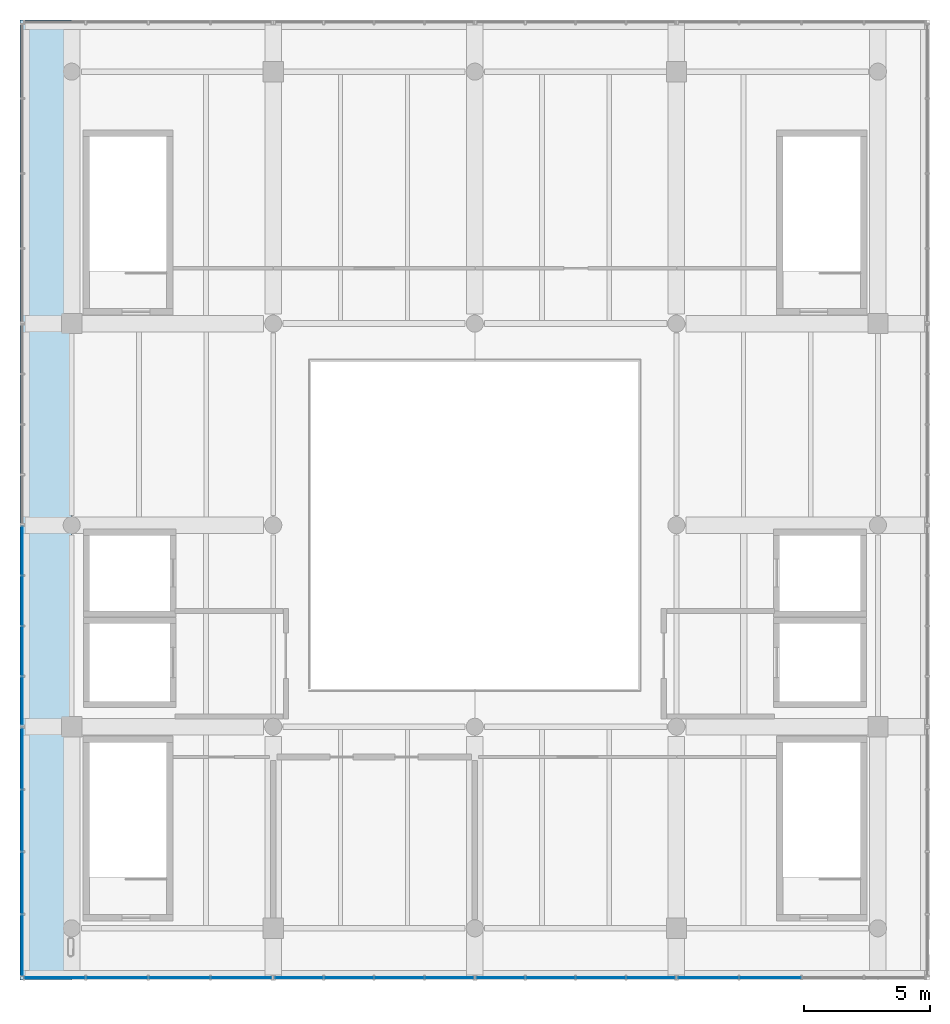
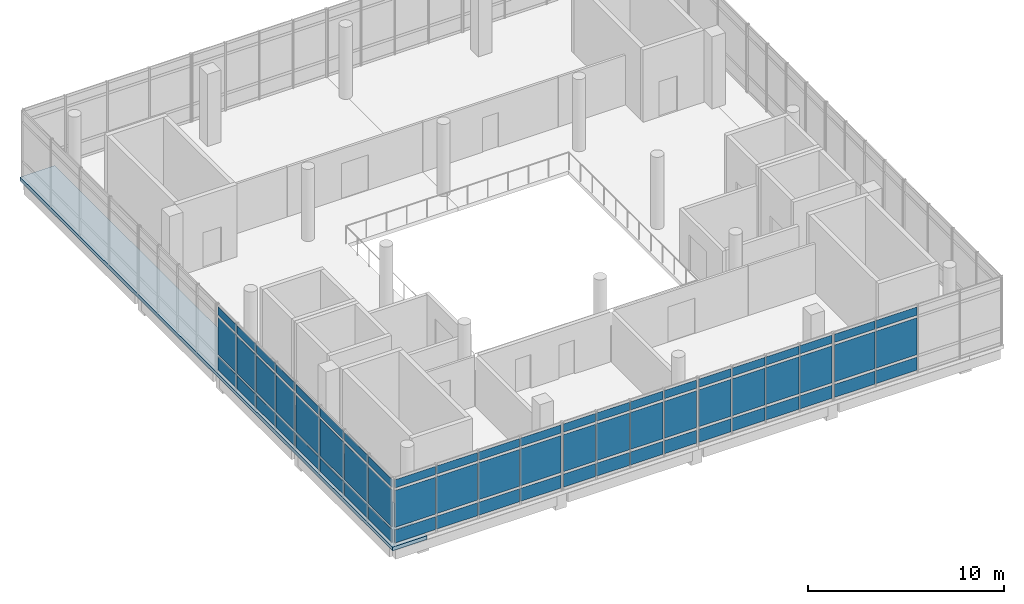
# One storey, part 10 of 15: 66 plates, 1 slab, 6 elements without a shape of their own.
"""IFC4 building model written with IfcOpenShell, lengths in metres."""

from ifc_helpers import new_model, si_unit, direction, frame, origin, origin_2d, place, context, subcontext, project, spatial, polyline, rectangle, outline, extrude, material, layer, layer_set, type_object, element, aggregate, save


model = new_model("IFC4")

# Units and contexts
model_context = context("Model", 3, precision=1e-05, world=origin(), true_north=direction((0.0, 1.0)))
body_context = subcontext(model_context, "Body", "Model", "MODEL_VIEW")
ifc_project = project(units=[si_unit("LENGTHUNIT", "METRE"), si_unit("AREAUNIT", "SQUARE_METRE"), si_unit("VOLUMEUNIT", "CUBIC_METRE"), si_unit("PLANEANGLEUNIT", "RADIAN"), si_unit("MASSUNIT", "GRAM", prefix="KILO")], contexts=[model_context])

# Site, building, storey
site_placement = place(None, origin())
site = spatial("IfcSite", under=ifc_project, at=site_placement, CompositionType="ELEMENT")
building_placement = place(site_placement, origin())
building = spatial("IfcBuilding", under=site, at=building_placement, Name="Pecanmere Concourse Central Library", CompositionType="ELEMENT")
storey_placement = place(building_placement, frame((0.0, 0.0, 30.300048828125)))
storey = spatial("IfcBuildingStorey", under=building, at=storey_placement, Name="L07", CompositionType="ELEMENT", Elevation=30.300048828125)

# Curtain wall, plates
ifc_material_1 = material(Name="Anodized bronze aluminium alloy 6063-T6", Category="aluminium")
curtain_wall_type = type_object("IfcCurtainWallType", Name="CW_PLUMB_BANDED", PredefinedType="USERDEFINED", material=ifc_material_1)
curtain_wall_1_placement = place(storey_placement, origin())
curtain_wall_1 = element("IfcCurtainWall", 1, at=curtain_wall_1_placement, inside=storey, type_object=curtain_wall_type, Name="Unitised Curtain Wall CW-02 L07-089", ObjectType="UNITISED CURTAIN WALL", PredefinedType="USERDEFINED")
ifc_material_2 = material(Name="White ceramic-fritted insulated spandrel glazing", Category="glass")
ifc_layer_1 = layer(ifc_material_2, 0.053955078125, Name="CWP_SPN_54")
ifc_layer_set_1 = layer_set([ifc_layer_1], Name="White ceramic-fritted insulated spandrel glazing")
plate_type_1 = type_object("IfcPlateType", Name="CWP_SPN_54", PredefinedType="CURTAIN_PANEL", material=ifc_layer_set_1)
plate_1_placement = place(storey_placement, frame((71.334228515625, 88.03857421875, 0.159912109375), z_axis=(0.0, 0.0, 1.0), x_axis=(1.0, 0.0, 0.0)))
plate_1 = element("IfcPlate", 2, at=plate_1_placement, type_object=plate_type_1, Name="CW-02 Spandrel Panel 1.1", PredefinedType="CURTAIN_PANEL", context=body_context, shape_type="SweptSolid", body=[
    extrude(rectangle(XDim=2.381591796875, YDim=0.035888671875, at=origin_2d()), origin(), (0.0, 0.0, 1.0), 0.81005859375),
])
plate_2_placement = place(storey_placement, frame((73.797119140625, 88.03857421875, 0.159912109375), z_axis=(0.0, 0.0, 1.0), x_axis=(1.0, 0.0, 0.0)))
plate_2 = element("IfcPlate", 3, at=plate_2_placement, type_object=plate_type_1, Name="CW-02 Spandrel Panel 2.1", PredefinedType="CURTAIN_PANEL", context=body_context, shape_type="SweptSolid", body=[
    extrude(rectangle(XDim=2.4140625, YDim=0.035888671875, at=origin_2d()), origin(), (0.0, 0.0, 1.0), 0.81005859375),
])
plate_3_placement = place(storey_placement, frame((76.2763671875, 88.03857421875, 0.159912109375), z_axis=(0.0, 0.0, 1.0), x_axis=(1.0, 0.0, 0.0)))
plate_3 = element("IfcPlate", 4, at=plate_3_placement, type_object=plate_type_1, Name="CW-02 Spandrel Panel 3.1", PredefinedType="CURTAIN_PANEL", context=body_context, shape_type="SweptSolid", body=[
    extrude(rectangle(XDim=2.4140625, YDim=0.035888671875, at=origin_2d()), origin(), (0.0, 0.0, 1.0), 0.81005859375),
])
plate_4_placement = place(storey_placement, frame((78.7392578125, 88.03857421875, 0.159912109375), z_axis=(0.0, 0.0, 1.0), x_axis=(1.0, 0.0, 0.0)))
plate_4 = element("IfcPlate", 5, at=plate_4_placement, type_object=plate_type_1, Name="CW-02 Spandrel Panel 4.1", PredefinedType="CURTAIN_PANEL", context=body_context, shape_type="SweptSolid", body=[
    extrude(rectangle(XDim=2.381591796875, YDim=0.035888671875, at=origin_2d()), origin(), (0.0, 0.0, 1.0), 0.81005859375),
])

curtain_wall_2_placement = place(storey_placement, origin())
curtain_wall_2 = element("IfcCurtainWall", 6, at=curtain_wall_2_placement, inside=storey, type_object=curtain_wall_type, Name="Unitised Curtain Wall CW-02 L07-090", ObjectType="UNITISED CURTAIN WALL", PredefinedType="USERDEFINED")
plate_5_placement = place(storey_placement, frame((81.02001953125, 88.03857421875, 0.159912109375), z_axis=(0.0, 0.0, 1.0), x_axis=(1.0, 0.0, 0.0)))
plate_5 = element("IfcPlate", 7, at=plate_5_placement, type_object=plate_type_1, Name="CW-02 Spandrel Panel 1.1", PredefinedType="CURTAIN_PANEL", context=body_context, shape_type="SweptSolid", body=[
    extrude(rectangle(XDim=1.89990234375, YDim=0.035888671875, at=origin_2d()), origin(), (0.0, 0.0, 1.0), 0.81005859375),
])
plate_6_placement = place(storey_placement, frame((83.001220703125, 88.03857421875, 0.159912109375), z_axis=(0.0, 0.0, 1.0), x_axis=(1.0, 0.0, 0.0)))
plate_6 = element("IfcPlate", 8, at=plate_6_placement, type_object=plate_type_1, Name="CW-02 Spandrel Panel 2.1", PredefinedType="CURTAIN_PANEL", context=body_context, shape_type="SweptSolid", body=[
    extrude(rectangle(XDim=1.9326171875, YDim=0.035888671875, at=origin_2d()), origin(), (0.0, 0.0, 1.0), 0.81005859375),
])
plate_7_placement = place(storey_placement, frame((84.998779296875, 88.03857421875, 0.159912109375), z_axis=(0.0, 0.0, 1.0), x_axis=(1.0, 0.0, 0.0)))
plate_7 = element("IfcPlate", 9, at=plate_7_placement, type_object=plate_type_1, Name="CW-02 Spandrel Panel 3.1", PredefinedType="CURTAIN_PANEL", context=body_context, shape_type="SweptSolid", body=[
    extrude(rectangle(XDim=1.9326171875, YDim=0.035888671875, at=origin_2d()), origin(), (0.0, 0.0, 1.0), 0.81005859375),
])
plate_8_placement = place(storey_placement, frame((86.97998046875, 88.03857421875, 0.159912109375), z_axis=(0.0, 0.0, 1.0), x_axis=(1.0, 0.0, 0.0)))
plate_8 = element("IfcPlate", 10, at=plate_8_placement, type_object=plate_type_1, Name="CW-02 Spandrel Panel 4.1", PredefinedType="CURTAIN_PANEL", context=body_context, shape_type="SweptSolid", body=[
    extrude(rectangle(XDim=1.89990234375, YDim=0.035888671875, at=origin_2d()), origin(), (0.0, 0.0, 1.0), 0.81005859375),
])

curtain_wall_3_placement = place(storey_placement, origin())
curtain_wall_3 = element("IfcCurtainWall", 11, at=curtain_wall_3_placement, inside=storey, type_object=curtain_wall_type, Name="Unitised Curtain Wall CW-02 L07-091", ObjectType="UNITISED CURTAIN WALL", PredefinedType="USERDEFINED")
plate_9_placement = place(storey_placement, frame((89.02001953125, 88.03857421875, 0.159912109375), z_axis=(0.0, 0.0, 1.0), x_axis=(1.0, 0.0, 0.0)))
plate_9 = element("IfcPlate", 12, at=plate_9_placement, type_object=plate_type_1, Name="CW-02 Spandrel Panel 1.1", PredefinedType="CURTAIN_PANEL", context=body_context, shape_type="SweptSolid", body=[
    extrude(rectangle(XDim=1.89990234375, YDim=0.035888671875, at=origin_2d()), origin(), (0.0, 0.0, 1.0), 0.81005859375),
])
plate_10_placement = place(storey_placement, frame((91.001220703125, 88.03857421875, 0.159912109375), z_axis=(0.0, 0.0, 1.0), x_axis=(1.0, 0.0, 0.0)))
plate_10 = element("IfcPlate", 13, at=plate_10_placement, type_object=plate_type_1, Name="CW-02 Spandrel Panel 2.1", PredefinedType="CURTAIN_PANEL", context=body_context, shape_type="SweptSolid", body=[
    extrude(rectangle(XDim=1.9326171875, YDim=0.035888671875, at=origin_2d()), origin(), (0.0, 0.0, 1.0), 0.81005859375),
])
plate_11_placement = place(storey_placement, frame((92.998779296875, 88.03857421875, 0.159912109375), z_axis=(0.0, 0.0, 1.0), x_axis=(1.0, 0.0, 0.0)))
plate_11 = element("IfcPlate", 14, at=plate_11_placement, type_object=plate_type_1, Name="CW-02 Spandrel Panel 3.1", PredefinedType="CURTAIN_PANEL", context=body_context, shape_type="SweptSolid", body=[
    extrude(rectangle(XDim=1.9326171875, YDim=0.035888671875, at=origin_2d()), origin(), (0.0, 0.0, 1.0), 0.81005859375),
])
plate_12_placement = place(storey_placement, frame((94.97998046875, 88.03857421875, 0.159912109375), z_axis=(0.0, 0.0, 1.0), x_axis=(1.0, 0.0, 0.0)))
plate_12 = element("IfcPlate", 15, at=plate_12_placement, type_object=plate_type_1, Name="CW-02 Spandrel Panel 4.1", PredefinedType="CURTAIN_PANEL", context=body_context, shape_type="SweptSolid", body=[
    extrude(rectangle(XDim=1.89990234375, YDim=0.035888671875, at=origin_2d()), origin(), (0.0, 0.0, 1.0), 0.81005859375),
])

curtain_wall_4_placement = place(storey_placement, origin())
curtain_wall_4 = element("IfcCurtainWall", 16, at=curtain_wall_4_placement, inside=storey, type_object=curtain_wall_type, Name="Unitised Curtain Wall CW-02 L07-092", ObjectType="UNITISED CURTAIN WALL", PredefinedType="USERDEFINED")
plate_13_placement = place(storey_placement, frame((97.2607421875, 88.03857421875, 0.159912109375), z_axis=(0.0, 0.0, 1.0), x_axis=(1.0, 0.0, 0.0)))
plate_13 = element("IfcPlate", 17, at=plate_13_placement, type_object=plate_type_1, Name="CW-02 Spandrel Panel 1.1", PredefinedType="CURTAIN_PANEL", context=body_context, shape_type="SweptSolid", body=[
    extrude(rectangle(XDim=2.381591796875, YDim=0.035888671875, at=origin_2d()), origin(), (0.0, 0.0, 1.0), 0.81005859375),
])
plate_14_placement = place(storey_placement, frame((99.7236328125, 88.03857421875, 0.159912109375), z_axis=(0.0, 0.0, 1.0), x_axis=(1.0, 0.0, 0.0)))
plate_14 = element("IfcPlate", 18, at=plate_14_placement, type_object=plate_type_1, Name="CW-02 Spandrel Panel 2.1", PredefinedType="CURTAIN_PANEL", context=body_context, shape_type="SweptSolid", body=[
    extrude(rectangle(XDim=2.4140625, YDim=0.035888671875, at=origin_2d()), origin(), (0.0, 0.0, 1.0), 0.81005859375),
])

curtain_wall_5_placement = place(storey_placement, origin())
curtain_wall_5 = element("IfcCurtainWall", 19, at=curtain_wall_5_placement, inside=storey, type_object=curtain_wall_type, Name="Unitised Curtain Wall CW-02 L07-099", ObjectType="UNITISED CURTAIN WALL", PredefinedType="USERDEFINED")
plate_15_placement = place(storey_placement, frame((70.03857421875, 104.97998046875, 0.159912109375), z_axis=(0.0, 0.0, 1.0), x_axis=(0.0, -1.0, 0.0)))
plate_15 = element("IfcPlate", 20, at=plate_15_placement, type_object=plate_type_1, Name="CW-02 Spandrel Panel 1.1", PredefinedType="CURTAIN_PANEL", context=body_context, shape_type="SweptSolid", body=[
    extrude(rectangle(XDim=1.89990234375, YDim=0.035888671875, at=origin_2d()), origin(), (0.0, 0.0, 1.0), 0.81005859375),
])
plate_16_placement = place(storey_placement, frame((70.03857421875, 102.998779296875, 0.159912109375), z_axis=(0.0, 0.0, 1.0), x_axis=(0.0, -1.0, 0.0)))
plate_16 = element("IfcPlate", 21, at=plate_16_placement, type_object=plate_type_1, Name="CW-02 Spandrel Panel 2.1", PredefinedType="CURTAIN_PANEL", context=body_context, shape_type="SweptSolid", body=[
    extrude(rectangle(XDim=1.9326171875, YDim=0.035888671875, at=origin_2d()), origin(), (0.0, 0.0, 1.0), 0.81005859375),
])
plate_17_placement = place(storey_placement, frame((70.03857421875, 101.001220703125, 0.159912109375), z_axis=(0.0, 0.0, 1.0), x_axis=(0.0, -1.0, 0.0)))
plate_17 = element("IfcPlate", 22, at=plate_17_placement, type_object=plate_type_1, Name="CW-02 Spandrel Panel 3.1", PredefinedType="CURTAIN_PANEL", context=body_context, shape_type="SweptSolid", body=[
    extrude(rectangle(XDim=1.9326171875, YDim=0.035888671875, at=origin_2d()), origin(), (0.0, 0.0, 1.0), 0.81005859375),
])
plate_18_placement = place(storey_placement, frame((70.03857421875, 99.02001953125, 0.159912109375), z_axis=(0.0, 0.0, 1.0), x_axis=(0.0, -1.0, 0.0)))
plate_18 = element("IfcPlate", 23, at=plate_18_placement, type_object=plate_type_1, Name="CW-02 Spandrel Panel 4.1", PredefinedType="CURTAIN_PANEL", context=body_context, shape_type="SweptSolid", body=[
    extrude(rectangle(XDim=1.89990234375, YDim=0.035888671875, at=origin_2d()), origin(), (0.0, 0.0, 1.0), 0.81005859375),
])

curtain_wall_6_placement = place(storey_placement, origin())
curtain_wall_6 = element("IfcCurtainWall", 24, at=curtain_wall_6_placement, inside=storey, type_object=curtain_wall_type, Name="Unitised Curtain Wall CW-02 L07-100", ObjectType="UNITISED CURTAIN WALL", PredefinedType="USERDEFINED")
plate_19_placement = place(storey_placement, frame((70.03857421875, 96.7392578125, 0.159912109375), z_axis=(0.0, 0.0, 1.0), x_axis=(0.0, -1.0, 0.0)))
plate_19 = element("IfcPlate", 25, at=plate_19_placement, type_object=plate_type_1, Name="CW-02 Spandrel Panel 1.1", PredefinedType="CURTAIN_PANEL", context=body_context, shape_type="SweptSolid", body=[
    extrude(rectangle(XDim=2.381591796875, YDim=0.035888671875, at=origin_2d()), origin(), (0.0, 0.0, 1.0), 0.81005859375),
])
plate_20_placement = place(storey_placement, frame((70.03857421875, 94.2763671875, 0.159912109375), z_axis=(0.0, 0.0, 1.0), x_axis=(0.0, -1.0, 0.0)))
plate_20 = element("IfcPlate", 26, at=plate_20_placement, type_object=plate_type_1, Name="CW-02 Spandrel Panel 2.1", PredefinedType="CURTAIN_PANEL", context=body_context, shape_type="SweptSolid", body=[
    extrude(rectangle(XDim=2.4140625, YDim=0.035888671875, at=origin_2d()), origin(), (0.0, 0.0, 1.0), 0.81005859375),
])
plate_21_placement = place(storey_placement, frame((70.03857421875, 91.797119140625, 0.159912109375), z_axis=(0.0, 0.0, 1.0), x_axis=(0.0, -1.0, 0.0)))
plate_21 = element("IfcPlate", 27, at=plate_21_placement, type_object=plate_type_1, Name="CW-02 Spandrel Panel 3.1", PredefinedType="CURTAIN_PANEL", context=body_context, shape_type="SweptSolid", body=[
    extrude(rectangle(XDim=2.4140625, YDim=0.035888671875, at=origin_2d()), origin(), (0.0, 0.0, 1.0), 0.81005859375),
])
plate_22_placement = place(storey_placement, frame((70.03857421875, 89.334228515625, 0.159912109375), z_axis=(0.0, 0.0, 1.0), x_axis=(0.0, -1.0, 0.0)))
plate_22 = element("IfcPlate", 28, at=plate_22_placement, type_object=plate_type_1, Name="CW-02 Spandrel Panel 4.1", PredefinedType="CURTAIN_PANEL", context=body_context, shape_type="SweptSolid", body=[
    extrude(rectangle(XDim=2.381591796875, YDim=0.035888671875, at=origin_2d()), origin(), (0.0, 0.0, 1.0), 0.81005859375),
])

# Plate
ifc_material_3 = material(Name="Low-iron clear insulated glazing", Category="glass")
ifc_layer_2 = layer(ifc_material_3, 0.035888671875, Name="CWP_VIS_36")
ifc_layer_set_2 = layer_set([ifc_layer_2], Name="Low-iron clear insulated glazing")
plate_type_2 = type_object("IfcPlateType", Name="CWP_VIS_36", PredefinedType="CURTAIN_PANEL", material=ifc_layer_set_2)
plate_23_placement = place(storey_placement, frame((71.334228515625, 88.03857421875, 1.1298828125), z_axis=(0.0, 0.0, 1.0), x_axis=(1.0, 0.0, 0.0)))
plate_23 = element("IfcPlate", 29, at=plate_23_placement, type_object=plate_type_2, Name="CW-02 Vision Panel 1.2", PredefinedType="CURTAIN_PANEL", context=body_context, shape_type="SweptSolid", body=[
    extrude(rectangle(XDim=2.381591796875, YDim=0.035888671875, at=origin_2d()), origin(), (0.0, 0.0, 1.0), 2.300048828125),
])

plate_24_placement = place(storey_placement, frame((71.334228515625, 88.03857421875, 3.58984375), z_axis=(0.0, 0.0, 1.0), x_axis=(1.0, 0.0, 0.0)))
plate_24 = element("IfcPlate", 30, at=plate_24_placement, type_object=plate_type_2, Name="CW-02 Vision Panel 1.3", PredefinedType="CURTAIN_PANEL", context=body_context, shape_type="SweptSolid", body=[
    extrude(rectangle(XDim=2.381591796875, YDim=0.035888671875, at=origin_2d()), origin(), (0.0, 0.0, 1.0), 0.510009765625),
])

plate_25_placement = place(storey_placement, frame((73.797119140625, 88.03857421875, 1.1298828125), z_axis=(0.0, 0.0, 1.0), x_axis=(1.0, 0.0, 0.0)))
plate_25 = element("IfcPlate", 31, at=plate_25_placement, type_object=plate_type_2, Name="CW-02 Vision Panel 2.2", PredefinedType="CURTAIN_PANEL", context=body_context, shape_type="SweptSolid", body=[
    extrude(rectangle(XDim=2.4140625, YDim=0.035888671875, at=origin_2d()), origin(), (0.0, 0.0, 1.0), 2.300048828125),
])

plate_26_placement = place(storey_placement, frame((73.797119140625, 88.03857421875, 3.58984375), z_axis=(0.0, 0.0, 1.0), x_axis=(1.0, 0.0, 0.0)))
plate_26 = element("IfcPlate", 32, at=plate_26_placement, type_object=plate_type_2, Name="CW-02 Vision Panel 2.3", PredefinedType="CURTAIN_PANEL", context=body_context, shape_type="SweptSolid", body=[
    extrude(rectangle(XDim=2.4140625, YDim=0.035888671875, at=origin_2d()), origin(), (0.0, 0.0, 1.0), 0.510009765625),
])

plate_27_placement = place(storey_placement, frame((76.2763671875, 88.03857421875, 1.1298828125), z_axis=(0.0, 0.0, 1.0), x_axis=(1.0, 0.0, 0.0)))
plate_27 = element("IfcPlate", 33, at=plate_27_placement, type_object=plate_type_2, Name="CW-02 Vision Panel 3.2", PredefinedType="CURTAIN_PANEL", context=body_context, shape_type="SweptSolid", body=[
    extrude(rectangle(XDim=2.4140625, YDim=0.035888671875, at=origin_2d()), origin(), (0.0, 0.0, 1.0), 2.300048828125),
])

plate_28_placement = place(storey_placement, frame((76.2763671875, 88.03857421875, 3.58984375), z_axis=(0.0, 0.0, 1.0), x_axis=(1.0, 0.0, 0.0)))
plate_28 = element("IfcPlate", 34, at=plate_28_placement, type_object=plate_type_2, Name="CW-02 Vision Panel 3.3", PredefinedType="CURTAIN_PANEL", context=body_context, shape_type="SweptSolid", body=[
    extrude(rectangle(XDim=2.4140625, YDim=0.035888671875, at=origin_2d()), origin(), (0.0, 0.0, 1.0), 0.510009765625),
])

plate_29_placement = place(storey_placement, frame((78.7392578125, 88.03857421875, 1.1298828125), z_axis=(0.0, 0.0, 1.0), x_axis=(1.0, 0.0, 0.0)))
plate_29 = element("IfcPlate", 35, at=plate_29_placement, type_object=plate_type_2, Name="CW-02 Vision Panel 4.2", PredefinedType="CURTAIN_PANEL", context=body_context, shape_type="SweptSolid", body=[
    extrude(rectangle(XDim=2.381591796875, YDim=0.035888671875, at=origin_2d()), origin(), (0.0, 0.0, 1.0), 2.300048828125),
])

plate_30_placement = place(storey_placement, frame((78.7392578125, 88.03857421875, 3.58984375), z_axis=(0.0, 0.0, 1.0), x_axis=(1.0, 0.0, 0.0)))
plate_30 = element("IfcPlate", 36, at=plate_30_placement, type_object=plate_type_2, Name="CW-02 Vision Panel 4.3", PredefinedType="CURTAIN_PANEL", context=body_context, shape_type="SweptSolid", body=[
    extrude(rectangle(XDim=2.381591796875, YDim=0.035888671875, at=origin_2d()), origin(), (0.0, 0.0, 1.0), 0.510009765625),
])

aggregate(curtain_wall_1, [plate_1, plate_23, plate_24, plate_2, plate_25, plate_26, plate_3, plate_27, plate_28, plate_4, plate_29, plate_30])

plate_31_placement = place(storey_placement, frame((81.02001953125, 88.03857421875, 1.1298828125), z_axis=(0.0, 0.0, 1.0), x_axis=(1.0, 0.0, 0.0)))
plate_31 = element("IfcPlate", 37, at=plate_31_placement, type_object=plate_type_2, Name="CW-02 Vision Panel 1.2", PredefinedType="CURTAIN_PANEL", context=body_context, shape_type="SweptSolid", body=[
    extrude(rectangle(XDim=1.89990234375, YDim=0.035888671875, at=origin_2d()), origin(), (0.0, 0.0, 1.0), 2.300048828125),
])

plate_32_placement = place(storey_placement, frame((81.02001953125, 88.03857421875, 3.58984375), z_axis=(0.0, 0.0, 1.0), x_axis=(1.0, 0.0, 0.0)))
plate_32 = element("IfcPlate", 38, at=plate_32_placement, type_object=plate_type_2, Name="CW-02 Vision Panel 1.3", PredefinedType="CURTAIN_PANEL", context=body_context, shape_type="SweptSolid", body=[
    extrude(rectangle(XDim=1.89990234375, YDim=0.035888671875, at=origin_2d()), origin(), (0.0, 0.0, 1.0), 0.510009765625),
])

plate_33_placement = place(storey_placement, frame((83.001220703125, 88.03857421875, 1.1298828125), z_axis=(0.0, 0.0, 1.0), x_axis=(1.0, 0.0, 0.0)))
plate_33 = element("IfcPlate", 39, at=plate_33_placement, type_object=plate_type_2, Name="CW-02 Vision Panel 2.2", PredefinedType="CURTAIN_PANEL", context=body_context, shape_type="SweptSolid", body=[
    extrude(rectangle(XDim=1.9326171875, YDim=0.035888671875, at=origin_2d()), origin(), (0.0, 0.0, 1.0), 2.300048828125),
])

plate_34_placement = place(storey_placement, frame((83.001220703125, 88.03857421875, 3.58984375), z_axis=(0.0, 0.0, 1.0), x_axis=(1.0, 0.0, 0.0)))
plate_34 = element("IfcPlate", 40, at=plate_34_placement, type_object=plate_type_2, Name="CW-02 Vision Panel 2.3", PredefinedType="CURTAIN_PANEL", context=body_context, shape_type="SweptSolid", body=[
    extrude(rectangle(XDim=1.9326171875, YDim=0.035888671875, at=origin_2d()), origin(), (0.0, 0.0, 1.0), 0.510009765625),
])

plate_35_placement = place(storey_placement, frame((84.998779296875, 88.03857421875, 1.1298828125), z_axis=(0.0, 0.0, 1.0), x_axis=(1.0, 0.0, 0.0)))
plate_35 = element("IfcPlate", 41, at=plate_35_placement, type_object=plate_type_2, Name="CW-02 Vision Panel 3.2", PredefinedType="CURTAIN_PANEL", context=body_context, shape_type="SweptSolid", body=[
    extrude(rectangle(XDim=1.9326171875, YDim=0.035888671875, at=origin_2d()), origin(), (0.0, 0.0, 1.0), 2.300048828125),
])

plate_36_placement = place(storey_placement, frame((84.998779296875, 88.03857421875, 3.58984375), z_axis=(0.0, 0.0, 1.0), x_axis=(1.0, 0.0, 0.0)))
plate_36 = element("IfcPlate", 42, at=plate_36_placement, type_object=plate_type_2, Name="CW-02 Vision Panel 3.3", PredefinedType="CURTAIN_PANEL", context=body_context, shape_type="SweptSolid", body=[
    extrude(rectangle(XDim=1.9326171875, YDim=0.035888671875, at=origin_2d()), origin(), (0.0, 0.0, 1.0), 0.510009765625),
])

plate_37_placement = place(storey_placement, frame((86.97998046875, 88.03857421875, 1.1298828125), z_axis=(0.0, 0.0, 1.0), x_axis=(1.0, 0.0, 0.0)))
plate_37 = element("IfcPlate", 43, at=plate_37_placement, type_object=plate_type_2, Name="CW-02 Vision Panel 4.2", PredefinedType="CURTAIN_PANEL", context=body_context, shape_type="SweptSolid", body=[
    extrude(rectangle(XDim=1.89990234375, YDim=0.035888671875, at=origin_2d()), origin(), (0.0, 0.0, 1.0), 2.300048828125),
])

plate_38_placement = place(storey_placement, frame((86.97998046875, 88.03857421875, 3.58984375), z_axis=(0.0, 0.0, 1.0), x_axis=(1.0, 0.0, 0.0)))
plate_38 = element("IfcPlate", 44, at=plate_38_placement, type_object=plate_type_2, Name="CW-02 Vision Panel 4.3", PredefinedType="CURTAIN_PANEL", context=body_context, shape_type="SweptSolid", body=[
    extrude(rectangle(XDim=1.89990234375, YDim=0.035888671875, at=origin_2d()), origin(), (0.0, 0.0, 1.0), 0.510009765625),
])

aggregate(curtain_wall_2, [plate_5, plate_31, plate_32, plate_6, plate_33, plate_34, plate_7, plate_35, plate_36, plate_8, plate_37, plate_38])

plate_39_placement = place(storey_placement, frame((89.02001953125, 88.03857421875, 1.1298828125), z_axis=(0.0, 0.0, 1.0), x_axis=(1.0, 0.0, 0.0)))
plate_39 = element("IfcPlate", 45, at=plate_39_placement, type_object=plate_type_2, Name="CW-02 Vision Panel 1.2", PredefinedType="CURTAIN_PANEL", context=body_context, shape_type="SweptSolid", body=[
    extrude(rectangle(XDim=1.89990234375, YDim=0.035888671875, at=origin_2d()), origin(), (0.0, 0.0, 1.0), 2.300048828125),
])

plate_40_placement = place(storey_placement, frame((89.02001953125, 88.03857421875, 3.58984375), z_axis=(0.0, 0.0, 1.0), x_axis=(1.0, 0.0, 0.0)))
plate_40 = element("IfcPlate", 46, at=plate_40_placement, type_object=plate_type_2, Name="CW-02 Vision Panel 1.3", PredefinedType="CURTAIN_PANEL", context=body_context, shape_type="SweptSolid", body=[
    extrude(rectangle(XDim=1.89990234375, YDim=0.035888671875, at=origin_2d()), origin(), (0.0, 0.0, 1.0), 0.510009765625),
])

plate_41_placement = place(storey_placement, frame((91.001220703125, 88.03857421875, 1.1298828125), z_axis=(0.0, 0.0, 1.0), x_axis=(1.0, 0.0, 0.0)))
plate_41 = element("IfcPlate", 47, at=plate_41_placement, type_object=plate_type_2, Name="CW-02 Vision Panel 2.2", PredefinedType="CURTAIN_PANEL", context=body_context, shape_type="SweptSolid", body=[
    extrude(rectangle(XDim=1.9326171875, YDim=0.035888671875, at=origin_2d()), origin(), (0.0, 0.0, 1.0), 2.300048828125),
])

plate_42_placement = place(storey_placement, frame((91.001220703125, 88.03857421875, 3.58984375), z_axis=(0.0, 0.0, 1.0), x_axis=(1.0, 0.0, 0.0)))
plate_42 = element("IfcPlate", 48, at=plate_42_placement, type_object=plate_type_2, Name="CW-02 Vision Panel 2.3", PredefinedType="CURTAIN_PANEL", context=body_context, shape_type="SweptSolid", body=[
    extrude(rectangle(XDim=1.9326171875, YDim=0.035888671875, at=origin_2d()), origin(), (0.0, 0.0, 1.0), 0.510009765625),
])

plate_43_placement = place(storey_placement, frame((92.998779296875, 88.03857421875, 1.1298828125), z_axis=(0.0, 0.0, 1.0), x_axis=(1.0, 0.0, 0.0)))
plate_43 = element("IfcPlate", 49, at=plate_43_placement, type_object=plate_type_2, Name="CW-02 Vision Panel 3.2", PredefinedType="CURTAIN_PANEL", context=body_context, shape_type="SweptSolid", body=[
    extrude(rectangle(XDim=1.9326171875, YDim=0.035888671875, at=origin_2d()), origin(), (0.0, 0.0, 1.0), 2.300048828125),
])

plate_44_placement = place(storey_placement, frame((92.998779296875, 88.03857421875, 3.58984375), z_axis=(0.0, 0.0, 1.0), x_axis=(1.0, 0.0, 0.0)))
plate_44 = element("IfcPlate", 50, at=plate_44_placement, type_object=plate_type_2, Name="CW-02 Vision Panel 3.3", PredefinedType="CURTAIN_PANEL", context=body_context, shape_type="SweptSolid", body=[
    extrude(rectangle(XDim=1.9326171875, YDim=0.035888671875, at=origin_2d()), origin(), (0.0, 0.0, 1.0), 0.510009765625),
])

plate_45_placement = place(storey_placement, frame((94.97998046875, 88.03857421875, 1.1298828125), z_axis=(0.0, 0.0, 1.0), x_axis=(1.0, 0.0, 0.0)))
plate_45 = element("IfcPlate", 51, at=plate_45_placement, type_object=plate_type_2, Name="CW-02 Vision Panel 4.2", PredefinedType="CURTAIN_PANEL", context=body_context, shape_type="SweptSolid", body=[
    extrude(rectangle(XDim=1.89990234375, YDim=0.035888671875, at=origin_2d()), origin(), (0.0, 0.0, 1.0), 2.300048828125),
])

plate_46_placement = place(storey_placement, frame((94.97998046875, 88.03857421875, 3.58984375), z_axis=(0.0, 0.0, 1.0), x_axis=(1.0, 0.0, 0.0)))
plate_46 = element("IfcPlate", 52, at=plate_46_placement, type_object=plate_type_2, Name="CW-02 Vision Panel 4.3", PredefinedType="CURTAIN_PANEL", context=body_context, shape_type="SweptSolid", body=[
    extrude(rectangle(XDim=1.89990234375, YDim=0.035888671875, at=origin_2d()), origin(), (0.0, 0.0, 1.0), 0.510009765625),
])

aggregate(curtain_wall_3, [plate_9, plate_39, plate_40, plate_10, plate_41, plate_42, plate_11, plate_43, plate_44, plate_12, plate_45, plate_46])

plate_47_placement = place(storey_placement, frame((97.2607421875, 88.03857421875, 1.1298828125), z_axis=(0.0, 0.0, 1.0), x_axis=(1.0, 0.0, 0.0)))
plate_47 = element("IfcPlate", 53, at=plate_47_placement, type_object=plate_type_2, Name="CW-02 Vision Panel 1.2", PredefinedType="CURTAIN_PANEL", context=body_context, shape_type="SweptSolid", body=[
    extrude(rectangle(XDim=2.381591796875, YDim=0.035888671875, at=origin_2d()), origin(), (0.0, 0.0, 1.0), 2.300048828125),
])

plate_48_placement = place(storey_placement, frame((97.2607421875, 88.03857421875, 3.58984375), z_axis=(0.0, 0.0, 1.0), x_axis=(1.0, 0.0, 0.0)))
plate_48 = element("IfcPlate", 54, at=plate_48_placement, type_object=plate_type_2, Name="CW-02 Vision Panel 1.3", PredefinedType="CURTAIN_PANEL", context=body_context, shape_type="SweptSolid", body=[
    extrude(rectangle(XDim=2.381591796875, YDim=0.035888671875, at=origin_2d()), origin(), (0.0, 0.0, 1.0), 0.510009765625),
])

plate_49_placement = place(storey_placement, frame((99.7236328125, 88.03857421875, 1.1298828125), z_axis=(0.0, 0.0, 1.0), x_axis=(1.0, 0.0, 0.0)))
plate_49 = element("IfcPlate", 55, at=plate_49_placement, type_object=plate_type_2, Name="CW-02 Vision Panel 2.2", PredefinedType="CURTAIN_PANEL", context=body_context, shape_type="SweptSolid", body=[
    extrude(rectangle(XDim=2.4140625, YDim=0.035888671875, at=origin_2d()), origin(), (0.0, 0.0, 1.0), 2.300048828125),
])

plate_50_placement = place(storey_placement, frame((99.7236328125, 88.03857421875, 3.58984375), z_axis=(0.0, 0.0, 1.0), x_axis=(1.0, 0.0, 0.0)))
plate_50 = element("IfcPlate", 56, at=plate_50_placement, type_object=plate_type_2, Name="CW-02 Vision Panel 2.3", PredefinedType="CURTAIN_PANEL", context=body_context, shape_type="SweptSolid", body=[
    extrude(rectangle(XDim=2.4140625, YDim=0.035888671875, at=origin_2d()), origin(), (0.0, 0.0, 1.0), 0.510009765625),
])

aggregate(curtain_wall_4, [plate_13, plate_47, plate_48, plate_14, plate_49, plate_50])

plate_51_placement = place(storey_placement, frame((70.03857421875, 104.97998046875, 1.1298828125), z_axis=(0.0, 0.0, 1.0), x_axis=(0.0, -1.0, 0.0)))
plate_51 = element("IfcPlate", 57, at=plate_51_placement, type_object=plate_type_2, Name="CW-02 Vision Panel 1.2", PredefinedType="CURTAIN_PANEL", context=body_context, shape_type="SweptSolid", body=[
    extrude(rectangle(XDim=1.89990234375, YDim=0.035888671875, at=origin_2d()), origin(), (0.0, 0.0, 1.0), 2.300048828125),
])

plate_52_placement = place(storey_placement, frame((70.03857421875, 104.97998046875, 3.58984375), z_axis=(0.0, 0.0, 1.0), x_axis=(0.0, -1.0, 0.0)))
plate_52 = element("IfcPlate", 58, at=plate_52_placement, type_object=plate_type_2, Name="CW-02 Vision Panel 1.3", PredefinedType="CURTAIN_PANEL", context=body_context, shape_type="SweptSolid", body=[
    extrude(rectangle(XDim=1.89990234375, YDim=0.035888671875, at=origin_2d()), origin(), (0.0, 0.0, 1.0), 0.510009765625),
])

plate_53_placement = place(storey_placement, frame((70.03857421875, 102.998779296875, 1.1298828125), z_axis=(0.0, 0.0, 1.0), x_axis=(0.0, -1.0, 0.0)))
plate_53 = element("IfcPlate", 59, at=plate_53_placement, type_object=plate_type_2, Name="CW-02 Vision Panel 2.2", PredefinedType="CURTAIN_PANEL", context=body_context, shape_type="SweptSolid", body=[
    extrude(rectangle(XDim=1.9326171875, YDim=0.035888671875, at=origin_2d()), origin(), (0.0, 0.0, 1.0), 2.300048828125),
])

plate_54_placement = place(storey_placement, frame((70.03857421875, 102.998779296875, 3.58984375), z_axis=(0.0, 0.0, 1.0), x_axis=(0.0, -1.0, 0.0)))
plate_54 = element("IfcPlate", 60, at=plate_54_placement, type_object=plate_type_2, Name="CW-02 Vision Panel 2.3", PredefinedType="CURTAIN_PANEL", context=body_context, shape_type="SweptSolid", body=[
    extrude(rectangle(XDim=1.9326171875, YDim=0.035888671875, at=origin_2d()), origin(), (0.0, 0.0, 1.0), 0.510009765625),
])

plate_55_placement = place(storey_placement, frame((70.03857421875, 101.001220703125, 1.1298828125), z_axis=(0.0, 0.0, 1.0), x_axis=(0.0, -1.0, 0.0)))
plate_55 = element("IfcPlate", 61, at=plate_55_placement, type_object=plate_type_2, Name="CW-02 Vision Panel 3.2", PredefinedType="CURTAIN_PANEL", context=body_context, shape_type="SweptSolid", body=[
    extrude(rectangle(XDim=1.9326171875, YDim=0.035888671875, at=origin_2d()), origin(), (0.0, 0.0, 1.0), 2.300048828125),
])

plate_56_placement = place(storey_placement, frame((70.03857421875, 101.001220703125, 3.58984375), z_axis=(0.0, 0.0, 1.0), x_axis=(0.0, -1.0, 0.0)))
plate_56 = element("IfcPlate", 62, at=plate_56_placement, type_object=plate_type_2, Name="CW-02 Vision Panel 3.3", PredefinedType="CURTAIN_PANEL", context=body_context, shape_type="SweptSolid", body=[
    extrude(rectangle(XDim=1.9326171875, YDim=0.035888671875, at=origin_2d()), origin(), (0.0, 0.0, 1.0), 0.510009765625),
])

plate_57_placement = place(storey_placement, frame((70.03857421875, 99.02001953125, 1.1298828125), z_axis=(0.0, 0.0, 1.0), x_axis=(0.0, -1.0, 0.0)))
plate_57 = element("IfcPlate", 63, at=plate_57_placement, type_object=plate_type_2, Name="CW-02 Vision Panel 4.2", PredefinedType="CURTAIN_PANEL", context=body_context, shape_type="SweptSolid", body=[
    extrude(rectangle(XDim=1.89990234375, YDim=0.035888671875, at=origin_2d()), origin(), (0.0, 0.0, 1.0), 2.300048828125),
])

plate_58_placement = place(storey_placement, frame((70.03857421875, 99.02001953125, 3.58984375), z_axis=(0.0, 0.0, 1.0), x_axis=(0.0, -1.0, 0.0)))
plate_58 = element("IfcPlate", 64, at=plate_58_placement, type_object=plate_type_2, Name="CW-02 Vision Panel 4.3", PredefinedType="CURTAIN_PANEL", context=body_context, shape_type="SweptSolid", body=[
    extrude(rectangle(XDim=1.89990234375, YDim=0.035888671875, at=origin_2d()), origin(), (0.0, 0.0, 1.0), 0.510009765625),
])

aggregate(curtain_wall_5, [plate_15, plate_51, plate_52, plate_16, plate_53, plate_54, plate_17, plate_55, plate_56, plate_18, plate_57, plate_58])

plate_59_placement = place(storey_placement, frame((70.03857421875, 96.7392578125, 1.1298828125), z_axis=(0.0, 0.0, 1.0), x_axis=(0.0, -1.0, 0.0)))
plate_59 = element("IfcPlate", 65, at=plate_59_placement, type_object=plate_type_2, Name="CW-02 Vision Panel 1.2", PredefinedType="CURTAIN_PANEL", context=body_context, shape_type="SweptSolid", body=[
    extrude(rectangle(XDim=2.381591796875, YDim=0.035888671875, at=origin_2d()), origin(), (0.0, 0.0, 1.0), 2.300048828125),
])

plate_60_placement = place(storey_placement, frame((70.03857421875, 96.7392578125, 3.58984375), z_axis=(0.0, 0.0, 1.0), x_axis=(0.0, -1.0, 0.0)))
plate_60 = element("IfcPlate", 66, at=plate_60_placement, type_object=plate_type_2, Name="CW-02 Vision Panel 1.3", PredefinedType="CURTAIN_PANEL", context=body_context, shape_type="SweptSolid", body=[
    extrude(rectangle(XDim=2.381591796875, YDim=0.035888671875, at=origin_2d()), origin(), (0.0, 0.0, 1.0), 0.510009765625),
])

plate_61_placement = place(storey_placement, frame((70.03857421875, 94.2763671875, 1.1298828125), z_axis=(0.0, 0.0, 1.0), x_axis=(0.0, -1.0, 0.0)))
plate_61 = element("IfcPlate", 67, at=plate_61_placement, type_object=plate_type_2, Name="CW-02 Vision Panel 2.2", PredefinedType="CURTAIN_PANEL", context=body_context, shape_type="SweptSolid", body=[
    extrude(rectangle(XDim=2.4140625, YDim=0.035888671875, at=origin_2d()), origin(), (0.0, 0.0, 1.0), 2.300048828125),
])

plate_62_placement = place(storey_placement, frame((70.03857421875, 94.2763671875, 3.58984375), z_axis=(0.0, 0.0, 1.0), x_axis=(0.0, -1.0, 0.0)))
plate_62 = element("IfcPlate", 68, at=plate_62_placement, type_object=plate_type_2, Name="CW-02 Vision Panel 2.3", PredefinedType="CURTAIN_PANEL", context=body_context, shape_type="SweptSolid", body=[
    extrude(rectangle(XDim=2.4140625, YDim=0.035888671875, at=origin_2d()), origin(), (0.0, 0.0, 1.0), 0.510009765625),
])

plate_63_placement = place(storey_placement, frame((70.03857421875, 91.797119140625, 1.1298828125), z_axis=(0.0, 0.0, 1.0), x_axis=(0.0, -1.0, 0.0)))
plate_63 = element("IfcPlate", 69, at=plate_63_placement, type_object=plate_type_2, Name="CW-02 Vision Panel 3.2", PredefinedType="CURTAIN_PANEL", context=body_context, shape_type="SweptSolid", body=[
    extrude(rectangle(XDim=2.4140625, YDim=0.035888671875, at=origin_2d()), origin(), (0.0, 0.0, 1.0), 2.300048828125),
])

plate_64_placement = place(storey_placement, frame((70.03857421875, 91.797119140625, 3.58984375), z_axis=(0.0, 0.0, 1.0), x_axis=(0.0, -1.0, 0.0)))
plate_64 = element("IfcPlate", 70, at=plate_64_placement, type_object=plate_type_2, Name="CW-02 Vision Panel 3.3", PredefinedType="CURTAIN_PANEL", context=body_context, shape_type="SweptSolid", body=[
    extrude(rectangle(XDim=2.4140625, YDim=0.035888671875, at=origin_2d()), origin(), (0.0, 0.0, 1.0), 0.510009765625),
])

plate_65_placement = place(storey_placement, frame((70.03857421875, 89.334228515625, 1.1298828125), z_axis=(0.0, 0.0, 1.0), x_axis=(0.0, -1.0, 0.0)))
plate_65 = element("IfcPlate", 71, at=plate_65_placement, type_object=plate_type_2, Name="CW-02 Vision Panel 4.2", PredefinedType="CURTAIN_PANEL", context=body_context, shape_type="SweptSolid", body=[
    extrude(rectangle(XDim=2.381591796875, YDim=0.035888671875, at=origin_2d()), origin(), (0.0, 0.0, 1.0), 2.300048828125),
])

plate_66_placement = place(storey_placement, frame((70.03857421875, 89.334228515625, 3.58984375), z_axis=(0.0, 0.0, 1.0), x_axis=(0.0, -1.0, 0.0)))
plate_66 = element("IfcPlate", 72, at=plate_66_placement, type_object=plate_type_2, Name="CW-02 Vision Panel 4.3", PredefinedType="CURTAIN_PANEL", context=body_context, shape_type="SweptSolid", body=[
    extrude(rectangle(XDim=2.381591796875, YDim=0.035888671875, at=origin_2d()), origin(), (0.0, 0.0, 1.0), 0.510009765625),
])

aggregate(curtain_wall_6, [plate_19, plate_59, plate_60, plate_20, plate_61, plate_62, plate_21, plate_63, plate_64, plate_22, plate_65, plate_66])

# Slab
ifc_material_4 = material(Name="Concrete C35/45", Category="concrete")
ifc_layer_3 = layer(ifc_material_4, 0.22998046875, Name="SLAB_GALL_230")
ifc_layer_set_3 = layer_set([ifc_layer_3], Name="Concrete C35/45")
slab_type = type_object("IfcSlabType", Name="SLAB_GALL_230", PredefinedType="FLOOR", material=ifc_layer_set_3)
slab_placement = place(storey_placement, frame((0.0, 0.0, -0.22998046875)))
element("IfcSlab", 73, at=slab_placement, inside=storey, type_object=slab_type, Name="Floor Slab V1 L07-144", PredefinedType="FLOOR", context=body_context, shape_type="SweptSolid", body=[
    extrude(outline(polyline([(72.0, 89.55859375), (71.919921875, 89.55859375), (71.919921875, 88.95849609375), (72.0, 88.95849609375), (72.0, 87.95849609375), (69.95849609375, 87.95849609375), (69.95849609375, 126.04150390625), (72.0, 126.04150390625), (72.0, 89.55859375)])), origin(), (0.0, 0.0, 1.0), 0.22998046875),
])

save(model, "model.ifc")
